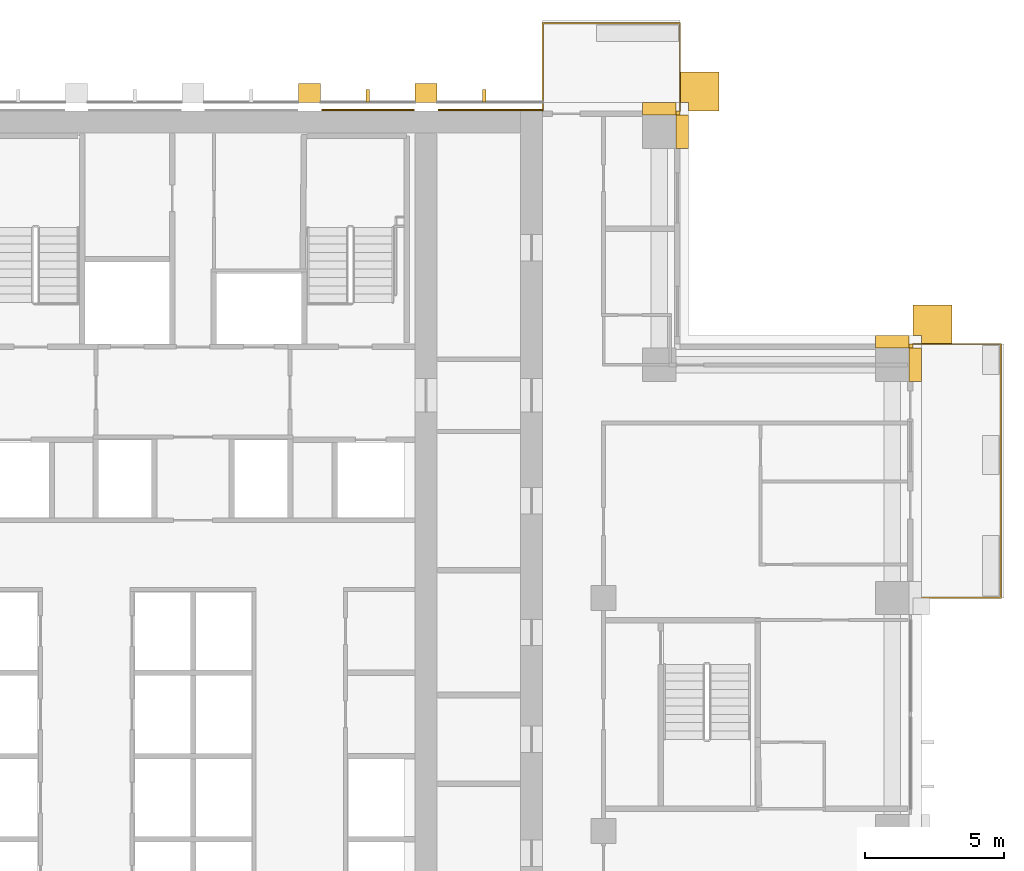
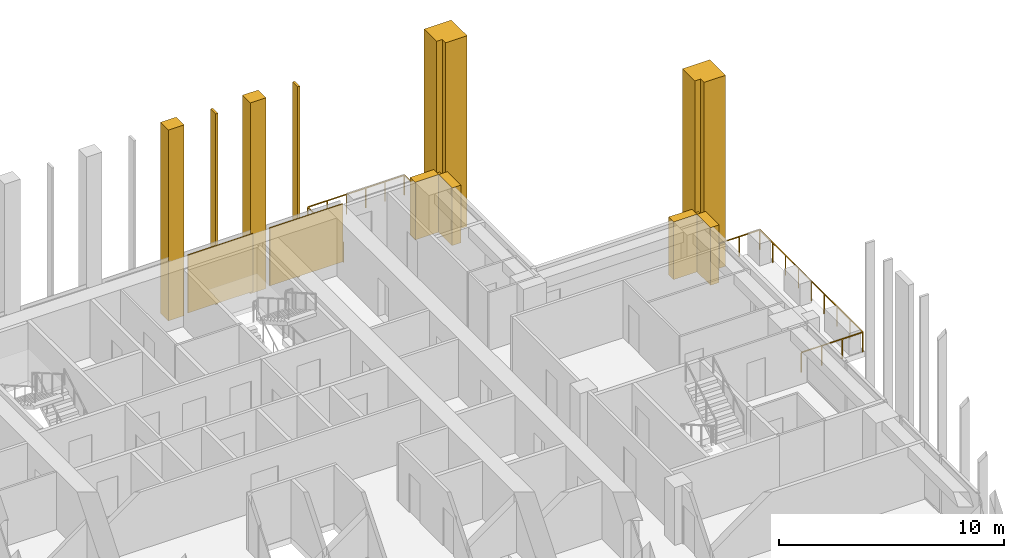
# One storey, part 18 of 18: 14 coverings, 2 railings.
"""IFC4 building model written with IfcOpenShell, lengths in metres."""

from ifc_helpers import new_model, si_unit, direction, frame, origin, origin_2d, place, context, subcontext, project, spatial, polyline, rectangle, outline, extrude, material, layer, layer_set, type_object, element, save


model = new_model("IFC4")

# Units and contexts
model_context = context("Model", 3, precision=1e-05, world=origin(), true_north=direction((0.0, 1.0)))
body_context = subcontext(model_context, "Body", "Model", "MODEL_VIEW")
ifc_project = project(units=[si_unit("LENGTHUNIT", "METRE"), si_unit("AREAUNIT", "SQUARE_METRE"), si_unit("VOLUMEUNIT", "CUBIC_METRE"), si_unit("PLANEANGLEUNIT", "RADIAN"), si_unit("MASSUNIT", "GRAM", prefix="KILO")], contexts=[model_context])

# Site, building, storey
site_placement = place(None, origin())
site = spatial("IfcSite", under=ifc_project, at=site_placement, CompositionType="ELEMENT")
building_placement = place(site_placement, origin())
building = spatial("IfcBuilding", under=site, at=building_placement, Name="Vermilion Ogive Tower", CompositionType="ELEMENT")
storey_placement = place(building_placement, frame((0.0, 0.0, 80.39990234375)))
storey = spatial("IfcBuildingStorey", under=building, at=storey_placement, Name="L19", CompositionType="ELEMENT", Elevation=80.39990234375)

# Railings
ifc_material_1 = material(Name="Stainless steel and glass", Category="steel")
railing_type = type_object("IfcRailingType", Name="Balcony guard", PredefinedType="GUARDRAIL", material=ifc_material_1)
railing_1_placement = place(storey_placement, frame((25.949951171875, 4.199951171875, -0.039794921875)))
element("IfcRailing", 1, at=railing_1_placement, inside=storey, type_object=railing_type, Name="Guard E03", PredefinedType="GUARDRAIL", context=body_context, shape_type="SweptSolid", body=[
    extrude(rectangle(XDim=0.048095703125, YDim=0.048095703125, at=origin_2d()), frame((0.0, 0.0, 1.076171875), z_axis=(1.0, 0.0, 0.0), x_axis=(0.0, 1.0, 0.0)), (0.0, 0.0, 1.0), 3.16015625),
    extrude(rectangle(XDim=0.048095703125, YDim=0.048095703125, at=origin_2d()), frame((3.16015625, 0.0, 1.076171875), z_axis=(0.0, 1.0, 0.0), x_axis=(-1.0, 0.0, 0.0)), (0.0, 0.0, 1.0), 9.150146484375),
    extrude(rectangle(XDim=0.048095703125, YDim=0.048095703125, at=origin_2d()), frame((3.16015625, 9.150146484375, 1.076171875), z_axis=(-1.0, 0.0, 0.0), x_axis=(0.0, -1.0, 0.0)), (0.0, 0.0, 1.0), 3.16015625),
    extrude(rectangle(XDim=0.0419921875, YDim=0.0419921875, at=origin_2d()), origin(), (0.0, 0.0, 1.0), 1.052001953125),
    extrude(rectangle(XDim=0.0419921875, YDim=0.0419921875, at=origin_2d()), frame((1.053466796875, 0.0, 0.0)), (0.0, 0.0, 1.0), 1.052001953125),
    extrude(rectangle(XDim=0.0419921875, YDim=0.0419921875, at=origin_2d()), frame((2.106689453125, 0.0, 0.0)), (0.0, 0.0, 1.0), 1.052001953125),
    extrude(rectangle(XDim=0.0419921875, YDim=0.0419921875, at=origin_2d()), frame((3.16015625, 0.0, 0.0)), (0.0, 0.0, 1.0), 1.052001953125),
    extrude(rectangle(XDim=0.0419921875, YDim=0.0419921875, at=origin_2d()), frame((3.16015625, 1.143798828125, 0.0)), (0.0, 0.0, 1.0), 1.052001953125),
    extrude(rectangle(XDim=0.0419921875, YDim=0.0419921875, at=origin_2d()), frame((3.16015625, 2.28759765625, 0.0)), (0.0, 0.0, 1.0), 1.052001953125),
    extrude(rectangle(XDim=0.0419921875, YDim=0.0419921875, at=origin_2d()), frame((3.16015625, 3.431396484375, 0.0)), (0.0, 0.0, 1.0), 1.052001953125),
    extrude(rectangle(XDim=0.0419921875, YDim=0.0419921875, at=origin_2d()), frame((3.16015625, 4.5751953125, 0.0)), (0.0, 0.0, 1.0), 1.052001953125),
    extrude(rectangle(XDim=0.0419921875, YDim=0.0419921875, at=origin_2d()), frame((3.16015625, 5.71875, 0.0)), (0.0, 0.0, 1.0), 1.052001953125),
    extrude(rectangle(XDim=0.0419921875, YDim=0.0419921875, at=origin_2d()), frame((3.16015625, 6.862548828125, 0.0)), (0.0, 0.0, 1.0), 1.052001953125),
    extrude(rectangle(XDim=0.0419921875, YDim=0.0419921875, at=origin_2d()), frame((3.16015625, 8.00634765625, 0.0)), (0.0, 0.0, 1.0), 1.052001953125),
    extrude(rectangle(XDim=0.0419921875, YDim=0.0419921875, at=origin_2d()), frame((3.16015625, 9.150146484375, 0.0)), (0.0, 0.0, 1.0), 1.052001953125),
    extrude(rectangle(XDim=0.0419921875, YDim=0.0419921875, at=origin_2d()), frame((2.106689453125, 9.150146484375, 0.0)), (0.0, 0.0, 1.0), 1.052001953125),
    extrude(rectangle(XDim=0.0419921875, YDim=0.0419921875, at=origin_2d()), frame((1.053466796875, 9.150146484375, 0.0)), (0.0, 0.0, 1.0), 1.052001953125),
    extrude(rectangle(XDim=0.0419921875, YDim=0.0419921875, at=origin_2d()), frame((0.0, 9.150146484375, 0.0)), (0.0, 0.0, 1.0), 1.052001953125),
])
railing_2_placement = place(storey_placement, frame((17.550048828125, 21.75, -0.039794921875)))
element("IfcRailing", 2, at=railing_2_placement, inside=storey, type_object=railing_type, Name="Guard N101", PredefinedType="GUARDRAIL", context=body_context, shape_type="SweptSolid", body=[
    extrude(rectangle(XDim=0.048095703125, YDim=0.048095703125, at=origin_2d()), frame((0.0, 0.0, 1.076171875), z_axis=(0.0, 1.0, 0.0), x_axis=(-1.0, 0.0, 0.0)), (0.0, 0.0, 1.0), 3.159912109375),
    extrude(rectangle(XDim=0.048095703125, YDim=0.048095703125, at=origin_2d()), frame((0.0, 3.159912109375, 1.076171875), z_axis=(-1.0, 0.0, 0.0), x_axis=(0.0, -1.0, 0.0)), (0.0, 0.0, 1.0), 4.949951171875),
    extrude(rectangle(XDim=0.048095703125, YDim=0.048095703125, at=origin_2d()), frame((-4.949951171875, 3.159912109375, 1.076171875), z_axis=(0.0, -1.0, 0.0), x_axis=(1.0, 0.0, 0.0)), (0.0, 0.0, 1.0), 3.159912109375),
    extrude(rectangle(XDim=0.0419921875, YDim=0.0419921875, at=origin_2d()), origin(), (0.0, 0.0, 1.0), 1.052001953125),
    extrude(rectangle(XDim=0.0419921875, YDim=0.0419921875, at=origin_2d()), frame((0.0, 1.05322265625, 0.0)), (0.0, 0.0, 1.0), 1.052001953125),
    extrude(rectangle(XDim=0.0419921875, YDim=0.0419921875, at=origin_2d()), frame((0.0, 2.106689453125, 0.0)), (0.0, 0.0, 1.0), 1.052001953125),
    extrude(rectangle(XDim=0.0419921875, YDim=0.0419921875, at=origin_2d()), frame((0.0, 3.159912109375, 0.0)), (0.0, 0.0, 1.0), 1.052001953125),
    extrude(rectangle(XDim=0.0419921875, YDim=0.0419921875, at=origin_2d()), frame((-0.989990234375, 3.159912109375, 0.0)), (0.0, 0.0, 1.0), 1.052001953125),
    extrude(rectangle(XDim=0.0419921875, YDim=0.0419921875, at=origin_2d()), frame((-1.97998046875, 3.159912109375, 0.0)), (0.0, 0.0, 1.0), 1.052001953125),
    extrude(rectangle(XDim=0.0419921875, YDim=0.0419921875, at=origin_2d()), frame((-2.969970703125, 3.159912109375, 0.0)), (0.0, 0.0, 1.0), 1.052001953125),
    extrude(rectangle(XDim=0.0419921875, YDim=0.0419921875, at=origin_2d()), frame((-3.9599609375, 3.159912109375, 0.0)), (0.0, 0.0, 1.0), 1.052001953125),
    extrude(rectangle(XDim=0.0419921875, YDim=0.0419921875, at=origin_2d()), frame((-4.949951171875, 3.159912109375, 0.0)), (0.0, 0.0, 1.0), 1.052001953125),
    extrude(rectangle(XDim=0.0419921875, YDim=0.0419921875, at=origin_2d()), frame((-4.949951171875, 2.106689453125, 0.0)), (0.0, 0.0, 1.0), 1.052001953125),
    extrude(rectangle(XDim=0.0419921875, YDim=0.0419921875, at=origin_2d()), frame((-4.949951171875, 1.05322265625, 0.0)), (0.0, 0.0, 1.0), 1.052001953125),
    extrude(rectangle(XDim=0.0419921875, YDim=0.0419921875, at=origin_2d()), frame((-4.949951171875, 0.0, 0.0)), (0.0, 0.0, 1.0), 1.052001953125),
])

# Coverings
ifc_material_2 = material(Name="Glazed ceramic screen")
ifc_layer = layer(ifc_material_2, 0.14990234375)
ifc_layer_set = layer_set([ifc_layer], Name="Ceramic solar screen fin")
covering_type_1 = type_object("IfcCoveringType", Name="Ceramic solar screen fin", PredefinedType="CLADDING", material=ifc_layer_set)
covering_1_placement = place(storey_placement, frame((0.0, 0.0, -0.31982421875)))
element("IfcCovering", 3, at=covering_1_placement, inside=storey, type_object=covering_type_1, Name="Solar screen blade N5", PredefinedType="CLADDING", context=body_context, shape_type="SweptSolid", body=[
    extrude(outline(polyline([(6.239990234375, 22.08203125), (6.360107421875, 22.08203125), (6.360107421875, 22.531982421875), (6.239990234375, 22.531982421875), (6.239990234375, 22.08203125)])), origin(), (0.0, 0.0, 1.0), 10.349853515625),
])
covering_2_placement = place(storey_placement, frame((0.0, 0.0, -0.31982421875)))
element("IfcCovering", 4, at=covering_2_placement, inside=storey, type_object=covering_type_1, Name="Solar screen blade N6", PredefinedType="CLADDING", context=body_context, shape_type="SweptSolid", body=[
    extrude(outline(polyline([(10.43994140625, 22.08203125), (10.56005859375, 22.08203125), (10.56005859375, 22.531982421875), (10.43994140625, 22.531982421875), (10.43994140625, 22.08203125)])), origin(), (0.0, 0.0, 1.0), 10.349853515625),
])
ifc_material_3 = material(Name="Stone cladding", Category="masonry")
covering_type_2 = type_object("IfcCoveringType", Name="Stone buttress pier", PredefinedType="CLADDING", material=ifc_material_3)
covering_3_placement = place(storey_placement, frame((0.0, 0.0, -0.31982421875)))
element("IfcCovering", 5, at=covering_3_placement, inside=storey, type_object=covering_type_2, Name="Stone buttress pier N4", PredefinedType="CLADDING", context=body_context, shape_type="SweptSolid", body=[
    extrude(outline(polyline([(4.60009765625, 22.75), (4.60009765625, 22.050048828125), (3.800048828125, 22.050048828125), (3.800048828125, 22.75), (4.60009765625, 22.75)])), origin(), (0.0, 0.0, 1.0), 10.349853515625),
])
covering_4_placement = place(storey_placement, frame((0.0, 0.0, -0.31982421875)))
element("IfcCovering", 6, at=covering_4_placement, inside=storey, type_object=covering_type_2, Name="Stone buttress pier N5", PredefinedType="CLADDING", context=body_context, shape_type="SweptSolid", body=[
    extrude(outline(polyline([(8.800048828125, 22.75), (8.800048828125, 22.050048828125), (8.0, 22.050048828125), (8.0, 22.75), (8.800048828125, 22.75)])), origin(), (0.0, 0.0, 1.0), 10.349853515625),
])
ifc_material_4 = material(Name="Stone cladding", Category="masonry")
covering_type_3 = type_object("IfcCoveringType", Name="Stone cladding panel", PredefinedType="CLADDING", material=ifc_material_4)
covering_5_placement = place(storey_placement, origin())
element("IfcCovering", 7, at=covering_5_placement, inside=storey, type_object=covering_type_3, Name="Stone cladding panel N5", PredefinedType="CLADDING", context=body_context, shape_type="SweptSolid", body=[
    extrude(outline(polyline([(4.6298828125, 21.75), (7.969970703125, 21.75), (7.969970703125, 21.81005859375), (4.6298828125, 21.81005859375), (4.6298828125, 21.75)])), origin(), (0.0, 0.0, 1.0), 3.130126953125),
])
covering_6_placement = place(storey_placement, origin())
element("IfcCovering", 8, at=covering_6_placement, inside=storey, type_object=covering_type_3, Name="Stone cladding panel N6", PredefinedType="CLADDING", context=body_context, shape_type="SweptSolid", body=[
    extrude(outline(polyline([(8.830078125, 21.75), (12.590087890625, 21.75), (12.590087890625, 21.81005859375), (8.830078125, 21.81005859375), (8.830078125, 21.75)])), origin(), (0.0, 0.0, 1.0), 3.130126953125),
])
ifc_material_5 = material(Name="Stone cladding", Category="masonry")
covering_type_4 = type_object("IfcCoveringType", Name="Stone corner buttress", PredefinedType="CLADDING", material=ifc_material_5)
covering_7_placement = place(storey_placement, frame((0.0, 0.0, -0.31982421875)))
element("IfcCovering", 9, at=covering_7_placement, inside=storey, type_object=covering_type_4, Name="Stone corner buttress X31", PredefinedType="CLADDING", context=body_context, shape_type="SweptSolid", body=[
    extrude(outline(polyline([(27.35009765625, 13.35009765625), (26.25, 13.35009765625), (26.25, 13.64990234375), (25.949951171875, 13.64990234375), (25.949951171875, 14.75), (27.35009765625, 14.75), (27.35009765625, 13.35009765625)])), origin(), (0.0, 0.0, 1.0), 10.349853515625),
])
covering_8_placement = place(storey_placement, frame((0.0, 0.0, -0.31982421875)))
element("IfcCovering", 10, at=covering_8_placement, inside=storey, type_object=covering_type_4, Name="Stone corner buttress N11", PredefinedType="CLADDING", context=body_context, shape_type="SweptSolid", body=[
    extrude(outline(polyline([(17.85009765625, 22.050048828125), (17.550048828125, 22.050048828125), (17.550048828125, 23.14990234375), (18.949951171875, 23.14990234375), (18.949951171875, 21.75), (17.85009765625, 21.75), (17.85009765625, 22.050048828125)])), origin(), (0.0, 0.0, 1.0), 10.349853515625),
])
ifc_material_6 = material(Name="Stone cladding", Category="masonry")
covering_type_5 = type_object("IfcCoveringType", Name="Stone pier", PredefinedType="CLADDING", material=ifc_material_6)
covering_9_placement = place(storey_placement, origin())
element("IfcCovering", 11, at=covering_9_placement, inside=storey, type_object=covering_type_5, Name="Stone corner pier EE1", PredefinedType="CLADDING", context=body_context, shape_type="SweptSolid", body=[
    extrude(outline(polyline([(25.949951171875, 13.199951171875), (25.800048828125, 13.199951171875), (25.800048828125, 13.35009765625), (25.949951171875, 13.35009765625), (25.949951171875, 13.199951171875)])), origin(), (0.0, 0.0, 1.0), 3.130126953125),
])
covering_10_placement = place(storey_placement, origin())
element("IfcCovering", 12, at=covering_10_placement, inside=storey, type_object=covering_type_5, Name="Stone corner pier X4E1", PredefinedType="CLADDING", context=body_context, shape_type="SweptSolid", body=[
    extrude(outline(polyline([(17.550048828125, 21.60009765625), (17.39990234375, 21.60009765625), (17.39990234375, 21.60009765625), (17.39990234375, 21.75), (17.550048828125, 21.75), (17.550048828125, 21.60009765625)])), origin(), (0.0, 0.0, 1.0), 3.130126953125),
])
covering_11_placement = place(storey_placement, origin())
element("IfcCovering", 13, at=covering_11_placement, inside=storey, type_object=covering_type_5, Name="Stone pier P+0168+210X4", PredefinedType="CLADDING", context=body_context, shape_type="SweptSolid", body=[
    extrude(outline(polyline([(17.85009765625, 21.60009765625), (17.85009765625, 20.39990234375), (17.39990234375, 20.39990234375), (17.39990234375, 21.60009765625), (17.85009765625, 21.60009765625)])), origin(), (0.0, 0.0, 1.0), 3.130126953125),
])
covering_12_placement = place(storey_placement, origin())
element("IfcCovering", 14, at=covering_12_placement, inside=storey, type_object=covering_type_5, Name="Stone pier P+0168+210N1", PredefinedType="CLADDING", context=body_context, shape_type="SweptSolid", body=[
    extrude(outline(polyline([(17.39990234375, 22.050048828125), (17.39990234375, 21.60009765625), (16.199951171875, 21.60009765625), (16.199951171875, 22.050048828125), (17.39990234375, 22.050048828125)])), origin(), (0.0, 0.0, 1.0), 3.130126953125),
])
covering_13_placement = place(storey_placement, origin())
element("IfcCovering", 15, at=covering_13_placement, inside=storey, type_object=covering_type_5, Name="Stone pier P+0252+126E", PredefinedType="CLADDING", context=body_context, shape_type="SweptSolid", body=[
    extrude(outline(polyline([(25.800048828125, 13.199951171875), (25.800048828125, 13.199951171875), (26.25, 13.199951171875), (26.25, 12.0), (25.800048828125, 12.0), (25.800048828125, 12.0), (25.800048828125, 13.199951171875)])), origin(), (0.0, 0.0, 1.0), 3.130126953125),
])
covering_14_placement = place(storey_placement, origin())
element("IfcCovering", 16, at=covering_14_placement, inside=storey, type_object=covering_type_5, Name="Stone pier P+0252+126X3", PredefinedType="CLADDING", context=body_context, shape_type="SweptSolid", body=[
    extrude(outline(polyline([(25.800048828125, 13.64990234375), (25.800048828125, 13.199951171875), (25.800048828125, 13.199951171875), (24.60009765625, 13.199951171875), (24.60009765625, 13.64990234375), (25.800048828125, 13.64990234375)])), origin(), (0.0, 0.0, 1.0), 3.130126953125),
])

save(model, "model.ifc")
